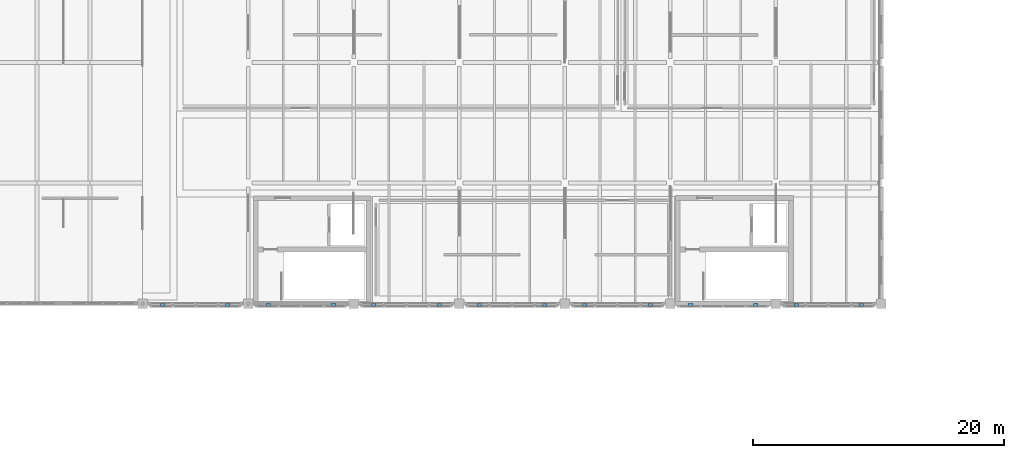
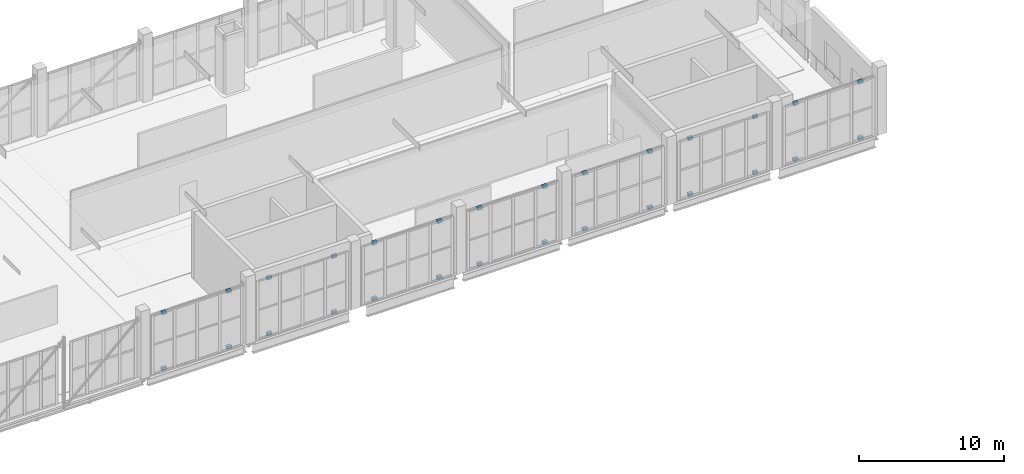
# One storey, part 45 of 49: 28 discrete accessories.
"""IFC4 building model written with IfcOpenShell, lengths in metres."""

from ifc_helpers import new_model, si_unit, direction, frame, origin, origin_2d, place, context, subcontext, project, spatial, rectangle, extrude, material, type_object, element, save


model = new_model("IFC4")

# Units and contexts
model_context = context("Model", 3, precision=1e-05, world=origin(), true_north=direction((0.0, 1.0)))
body_context = subcontext(model_context, "Body", "Model", "MODEL_VIEW")
ifc_project = project(units=[si_unit("LENGTHUNIT", "METRE"), si_unit("AREAUNIT", "SQUARE_METRE"), si_unit("VOLUMEUNIT", "CUBIC_METRE"), si_unit("PLANEANGLEUNIT", "RADIAN"), si_unit("MASSUNIT", "GRAM", prefix="KILO")], contexts=[model_context])

# Site, building, storey
site_placement = place(None, origin())
site = spatial("IfcSite", under=ifc_project, at=site_placement, CompositionType="ELEMENT")
building_placement = place(site_placement, origin())
building = spatial("IfcBuilding", under=site, at=building_placement, Name="Zulmaris Art Gallery", CompositionType="ELEMENT")
storey_placement = place(building_placement, frame((0.0, 0.0, 20.699951171875)))
storey = spatial("IfcBuildingStorey", under=building, at=storey_placement, Name="L04", CompositionType="ELEMENT", Elevation=20.699951171875)

# Discrete accessories
ifc_material = material(Name="Steel S355J2", Category="steel")
discrete_accessory_type = type_object("IfcDiscreteAccessoryType", Name="ACC-BRK01", PredefinedType="BRACKET", material=ifc_material)
for number, where, z_axis, x_axis, name in (
    (1, (25.60791015625, 21.489990234375, 0.0), (0.0, 0.0, 1.0), (1.0, 0.0, 0.0), "CW-L04-178 structural support bracket 1-1"),
    (2, (25.60791015625, 21.489990234375, 4.7099609375), (0.0, 0.0, 1.0), (1.0, 0.0, 0.0), "CW-L04-178 structural support bracket 1-2"),
    (3, (30.7919921875, 21.489990234375, 0.0), (0.0, 0.0, 1.0), (1.0, 0.0, 0.0), "CW-L04-178 structural support bracket 2-1"),
    (4, (30.7919921875, 21.489990234375, 4.7099609375), (0.0, 0.0, 1.0), (1.0, 0.0, 0.0), "CW-L04-178 structural support bracket 2-2"),
    (5, (34.008056640625, 21.489990234375, 0.0), (0.0, 0.0, 1.0), (1.0, 0.0, 0.0), "CW-L04-179 structural support bracket 1-1"),
    (6, (34.008056640625, 21.489990234375, 4.7099609375), (0.0, 0.0, 1.0), (1.0, 0.0, 0.0), "CW-L04-179 structural support bracket 1-2"),
    (7, (39.19189453125, 21.489990234375, 0.0), (0.0, 0.0, 1.0), (1.0, 0.0, 0.0), "CW-L04-179 structural support bracket 2-1"),
    (8, (39.19189453125, 21.489990234375, 4.7099609375), (0.0, 0.0, 1.0), (1.0, 0.0, 0.0), "CW-L04-179 structural support bracket 2-2"),
    (9, (42.407958984375, 21.489990234375, 0.0), (0.0, 0.0, 1.0), (1.0, 0.0, 0.0), "CW-L04-180 structural support bracket 1-1"),
    (10, (42.407958984375, 21.489990234375, 4.7099609375), (0.0, 0.0, 1.0), (1.0, 0.0, 0.0), "CW-L04-180 structural support bracket 1-2"),
    (11, (47.592041015625, 21.489990234375, 0.0), (0.0, 0.0, 1.0), (1.0, 0.0, 0.0), "CW-L04-180 structural support bracket 2-1"),
    (12, (47.592041015625, 21.489990234375, 4.7099609375), (0.0, 0.0, 1.0), (1.0, 0.0, 0.0), "CW-L04-180 structural support bracket 2-2"),
    (13, (50.80810546875, 21.489990234375, 0.0), (0.0, 0.0, 1.0), (1.0, 0.0, 0.0), "CW-L04-181 structural support bracket 1-1"),
    (14, (50.80810546875, 21.489990234375, 4.7099609375), (0.0, 0.0, 1.0), (1.0, 0.0, 0.0), "CW-L04-181 structural support bracket 1-2"),
    (15, (55.991943359375, 21.489990234375, 0.0), (0.0, 0.0, 1.0), (1.0, 0.0, 0.0), "CW-L04-181 structural support bracket 2-1"),
    (16, (55.991943359375, 21.489990234375, 4.7099609375), (0.0, 0.0, 1.0), (1.0, 0.0, 0.0), "CW-L04-181 structural support bracket 2-2"),
    (17, (59.2080078125, 21.489990234375, 0.0), (0.0, 0.0, 1.0), (1.0, 0.0, 0.0), "CW-L04-182 structural support bracket 1-1"),
    (18, (59.2080078125, 21.489990234375, 4.7099609375), (0.0, 0.0, 1.0), (1.0, 0.0, 0.0), "CW-L04-182 structural support bracket 1-2"),
    (19, (64.39208984375, 21.489990234375, 0.0), (0.0, 0.0, 1.0), (1.0, 0.0, 0.0), "CW-L04-182 structural support bracket 2-1"),
    (20, (64.39208984375, 21.489990234375, 4.7099609375), (0.0, 0.0, 1.0), (1.0, 0.0, 0.0), "CW-L04-182 structural support bracket 2-2"),
    (21, (67.60791015625, 21.489990234375, 0.0), (0.0, 0.0, 1.0), (1.0, 0.0, 0.0), "CW-L04-183 structural support bracket 1-1"),
    (22, (67.60791015625, 21.489990234375, 4.7099609375), (0.0, 0.0, 1.0), (1.0, 0.0, 0.0), "CW-L04-183 structural support bracket 1-2"),
    (23, (72.7919921875, 21.489990234375, 0.0), (0.0, 0.0, 1.0), (1.0, 0.0, 0.0), "CW-L04-183 structural support bracket 2-1"),
    (24, (72.7919921875, 21.489990234375, 4.7099609375), (0.0, 0.0, 1.0), (1.0, 0.0, 0.0), "CW-L04-183 structural support bracket 2-2"),
    (25, (76.008056640625, 21.489990234375, 0.0), (0.0, 0.0, 1.0), (1.0, 0.0, 0.0), "CW-L04-184 structural support bracket 1-1"),
    (26, (76.008056640625, 21.489990234375, 4.7099609375), (0.0, 0.0, 1.0), (1.0, 0.0, 0.0), "CW-L04-184 structural support bracket 1-2"),
    (27, (81.19189453125, 21.489990234375, 0.0), (0.0, 0.0, 1.0), (1.0, 0.0, 0.0), "CW-L04-184 structural support bracket 2-1"),
    (28, (81.19189453125, 21.489990234375, 4.7099609375), (0.0, 0.0, 1.0), (1.0, 0.0, 0.0), "CW-L04-184 structural support bracket 2-2"),
):
    element("IfcDiscreteAccessory", number, at=place(storey_placement, frame(where, z_axis=z_axis, x_axis=x_axis)), inside=storey, type_object=discrete_accessory_type, Name=name, PredefinedType="BRACKET", context=body_context, shape_type="SweptSolid", body=[
        extrude(rectangle(XDim=0.360107421875, YDim=0.239990234375, at=origin_2d()), origin(), (0.0, 0.0, 1.0), 0.239990234375),
    ])

save(model, "model.ifc")
